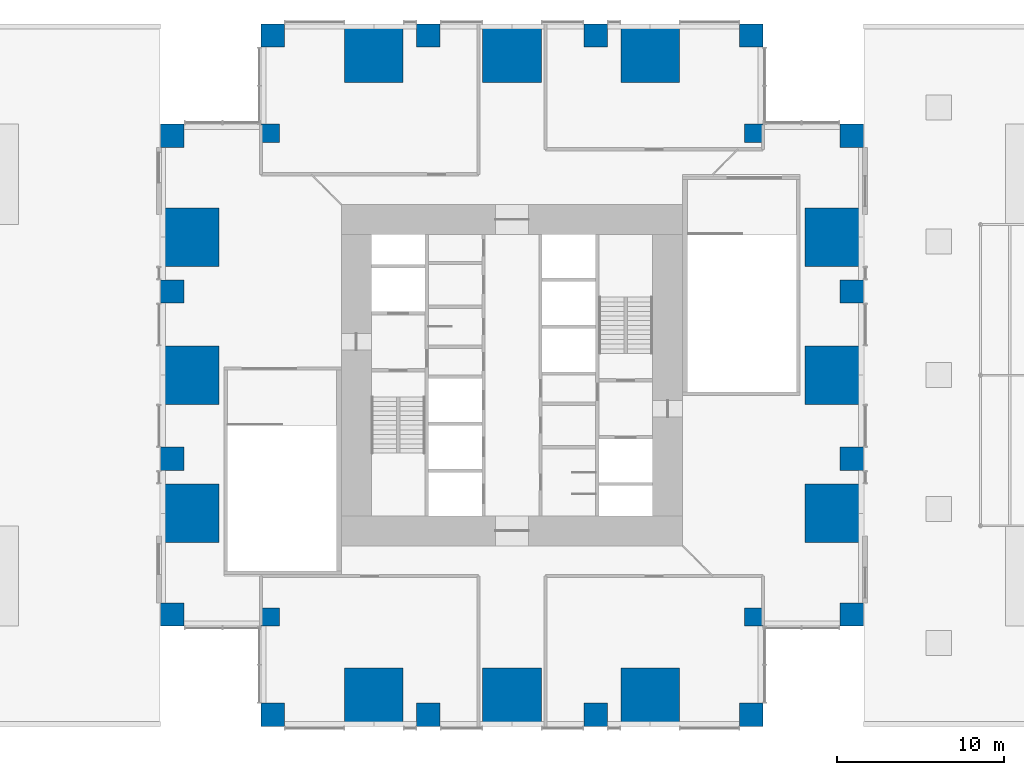
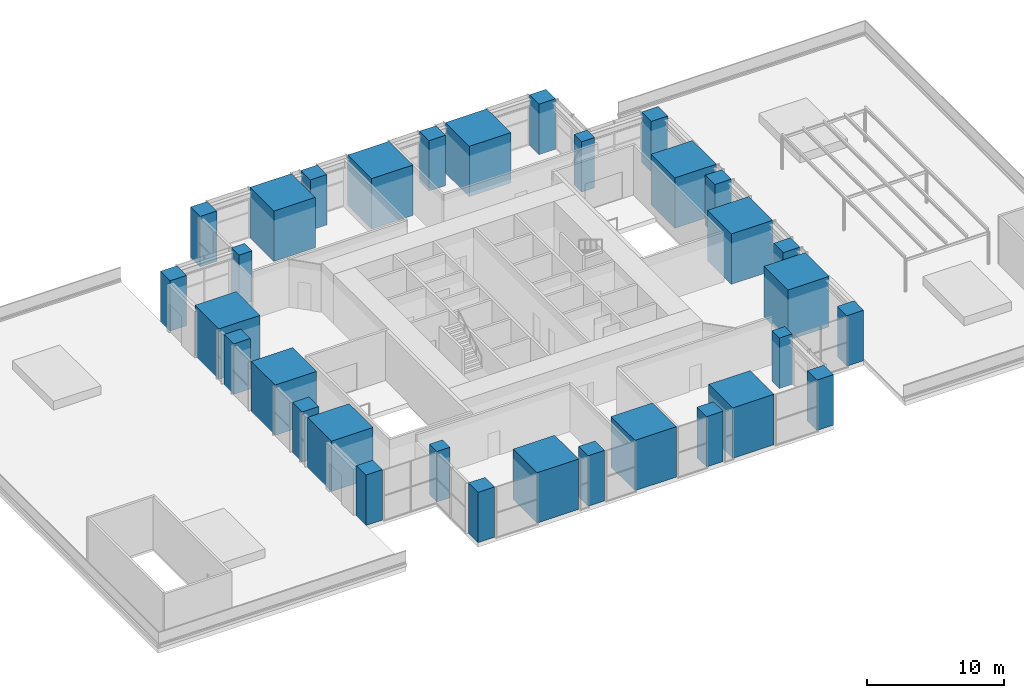
# One storey, part 1 of 14: 32 columns.
"""IFC4 building model written with IfcOpenShell, lengths in metres."""

from ifc_helpers import new_model, si_unit, direction, frame, origin, origin_2d, place, context, subcontext, project, spatial, rectangle, extrude, material, material_profile, profile_set, type_object, element, save


model = new_model("IFC4")

# Units and contexts
model_context = context("Model", 3, precision=1e-05, world=origin(), true_north=direction((0.0, 1.0)))
body_context = subcontext(model_context, "Body", "Model", "MODEL_VIEW")
ifc_project = project(units=[si_unit("LENGTHUNIT", "METRE"), si_unit("AREAUNIT", "SQUARE_METRE"), si_unit("VOLUMEUNIT", "CUBIC_METRE"), si_unit("PLANEANGLEUNIT", "RADIAN"), si_unit("MASSUNIT", "GRAM", prefix="KILO")], contexts=[model_context])

# Site, building, storey
site_placement = place(None, origin())
site = spatial("IfcSite", under=ifc_project, at=site_placement, CompositionType="ELEMENT")
building_placement = place(site_placement, origin())
building = spatial("IfcBuilding", under=site, at=building_placement, Name="Svetlomir Tower", CompositionType="ELEMENT")
storey_placement = place(building_placement, frame((0.0, 0.0, 18.0)))
storey = spatial("IfcBuildingStorey", under=building, at=storey_placement, Name="L03", CompositionType="ELEMENT", Elevation=18.0)

# Columns
ifc_material_1 = material(Name="Concrete C60/75", Category="concrete")
ifc_material_profile_1 = material_profile(ifc_material_1, rectangle(XDim=1.10009765625, YDim=1.10009765625, at=origin_2d()), Name="RC 1100x1100")
ifc_profile_set_1 = profile_set([ifc_material_profile_1], Name="Concrete C60/75")
column_type_1 = type_object("IfcColumnType", Name="COLUMN RC 1100x1100", PredefinedType="COLUMN", material=ifc_profile_set_1)
for number, where, z_axis, x_axis, name in (
    (1, (6.550048828125, 6.550048828125, 0.0), (0.0, 0.0, 1.0), (1.0, 0.0, 0.0), "Column 6/6 L03"),
    (2, (35.449951171875, 6.550048828125, 0.0), (0.0, 0.0, 1.0), (1.0, 0.0, 0.0), "Column 36/6 L03"),
    (3, (6.550048828125, 35.449951171875, 0.0), (0.0, 0.0, 1.0), (1.0, 0.0, 0.0), "Column 6/36 L03"),
    (4, (35.449951171875, 35.449951171875, 0.0), (0.0, 0.0, 1.0), (1.0, 0.0, 0.0), "Column 36/36 L03"),
):
    element("IfcColumn", number, at=place(storey_placement, frame(where, z_axis=z_axis, x_axis=x_axis)), inside=storey, type_object=column_type_1, Name=name, PredefinedType="COLUMN", context=body_context, shape_type="SweptSolid", body=[
        extrude(rectangle(XDim=1.10009765625, YDim=1.10009765625, at=origin_2d()), origin(), (0.0, 0.0, 1.0), 4.5),
    ])
ifc_material_2 = material(Name="Concrete C60/75", Category="concrete")
ifc_material_profile_2 = material_profile(ifc_material_2, rectangle(XDim=1.39990234375, YDim=1.39990234375, at=origin_2d()), Name="RC 1400x1400")
ifc_profile_set_2 = profile_set([ifc_material_profile_2], Name="Concrete C60/75")
column_type_2 = type_object("IfcColumnType", Name="COLUMN RC 1400x1400", PredefinedType="COLUMN", material=ifc_profile_set_2)
for number, where, z_axis, x_axis, name in (
    (5, (6.699951171875, 0.699951171875, 0.0), (0.0, 0.0, 1.0), (1.0, 0.0, 0.0), "Column 6/0 L03"),
    (6, (16.0, 0.699951171875, 0.0), (0.0, 0.0, 1.0), (1.0, 0.0, 0.0), "Column 16/0 L03"),
    (7, (26.0, 0.699951171875, 0.0), (0.0, 0.0, 1.0), (1.0, 0.0, 0.0), "Column 26/0 L03"),
    (8, (35.300048828125, 0.699951171875, 0.0), (0.0, 0.0, 1.0), (1.0, 0.0, 0.0), "Column 36/0 L03"),
    (9, (0.699951171875, 6.699951171875, 0.0), (0.0, 0.0, 1.0), (1.0, 0.0, 0.0), "Column 0/6 L03"),
    (10, (41.300048828125, 6.699951171875, 0.0), (0.0, 0.0, 1.0), (1.0, 0.0, 0.0), "Column 42/6 L03"),
    (11, (0.699951171875, 16.0, 0.0), (0.0, 0.0, 1.0), (1.0, 0.0, 0.0), "Column 0/16 L03"),
    (12, (41.300048828125, 16.0, 0.0), (0.0, 0.0, 1.0), (1.0, 0.0, 0.0), "Column 42/16 L03"),
    (13, (0.699951171875, 26.0, 0.0), (0.0, 0.0, 1.0), (1.0, 0.0, 0.0), "Column 0/26 L03"),
    (14, (41.300048828125, 26.0, 0.0), (0.0, 0.0, 1.0), (1.0, 0.0, 0.0), "Column 42/26 L03"),
    (15, (0.699951171875, 35.300048828125, 0.0), (0.0, 0.0, 1.0), (1.0, 0.0, 0.0), "Column 0/36 L03"),
    (16, (41.300048828125, 35.300048828125, 0.0), (0.0, 0.0, 1.0), (1.0, 0.0, 0.0), "Column 42/36 L03"),
    (17, (6.699951171875, 41.300048828125, 0.0), (0.0, 0.0, 1.0), (1.0, 0.0, 0.0), "Column 6/42 L03"),
    (18, (16.0, 41.300048828125, 0.0), (0.0, 0.0, 1.0), (1.0, 0.0, 0.0), "Column 16/42 L03"),
    (19, (26.0, 41.300048828125, 0.0), (0.0, 0.0, 1.0), (1.0, 0.0, 0.0), "Column 26/42 L03"),
    (20, (35.300048828125, 41.300048828125, 0.0), (0.0, 0.0, 1.0), (1.0, 0.0, 0.0), "Column 36/42 L03"),
):
    element("IfcColumn", number, at=place(storey_placement, frame(where, z_axis=z_axis, x_axis=x_axis)), inside=storey, type_object=column_type_2, Name=name, PredefinedType="COLUMN", context=body_context, shape_type="SweptSolid", body=[
        extrude(rectangle(XDim=1.39990234375, YDim=1.39990234375, at=origin_2d()), origin(), (0.0, 0.0, 1.0), 4.5),
    ])
ifc_material_3 = material(Name="Concrete C60/75", Category="concrete")
ifc_material_profile_3 = material_profile(ifc_material_3, rectangle(XDim=3.5, YDim=3.5, at=origin_2d()), Name="RC 3500x3500")
ifc_profile_set_3 = profile_set([ifc_material_profile_3], Name="Concrete C60/75")
column_type_3 = type_object("IfcColumnType", Name="COLUMN RC 3500x3500", PredefinedType="COLUMN", material=ifc_profile_set_3)
for number, where, z_axis, x_axis, name in (
    (21, (12.75, 1.75, 0.0), (0.0, 0.0, 1.0), (1.0, 0.0, 0.0), "Column 11/0 L03"),
    (22, (21.0, 1.75, 0.0), (0.0, 0.0, 1.0), (1.0, 0.0, 0.0), "Column 21/0 L03"),
    (23, (29.25, 1.75, 0.0), (0.0, 0.0, 1.0), (1.0, 0.0, 0.0), "Column 31/0 L03"),
    (24, (1.75, 12.75, 0.0), (0.0, 0.0, 1.0), (1.0, 0.0, 0.0), "Column 0/11 L03"),
    (25, (40.25, 12.75, 0.0), (0.0, 0.0, 1.0), (1.0, 0.0, 0.0), "Column 42/11 L03"),
    (26, (1.75, 21.0, 0.0), (0.0, 0.0, 1.0), (1.0, 0.0, 0.0), "Column 0/21 L03"),
    (27, (40.25, 21.0, 0.0), (0.0, 0.0, 1.0), (1.0, 0.0, 0.0), "Column 42/21 L03"),
    (28, (1.75, 29.25, 0.0), (0.0, 0.0, 1.0), (1.0, 0.0, 0.0), "Column 0/31 L03"),
    (29, (40.25, 29.25, 0.0), (0.0, 0.0, 1.0), (1.0, 0.0, 0.0), "Column 42/31 L03"),
    (30, (12.75, 40.25, 0.0), (0.0, 0.0, 1.0), (1.0, 0.0, 0.0), "Column 11/42 L03"),
    (31, (21.0, 40.25, 0.0), (0.0, 0.0, 1.0), (1.0, 0.0, 0.0), "Column 21/42 L03"),
    (32, (29.25, 40.25, 0.0), (0.0, 0.0, 1.0), (1.0, 0.0, 0.0), "Column 31/42 L03"),
):
    element("IfcColumn", number, at=place(storey_placement, frame(where, z_axis=z_axis, x_axis=x_axis)), inside=storey, type_object=column_type_3, Name=name, PredefinedType="COLUMN", context=body_context, shape_type="SweptSolid", body=[
        extrude(rectangle(XDim=3.5, YDim=3.5, at=origin_2d()), origin(), (0.0, 0.0, 1.0), 4.5),
    ])

save(model, "model.ifc")
